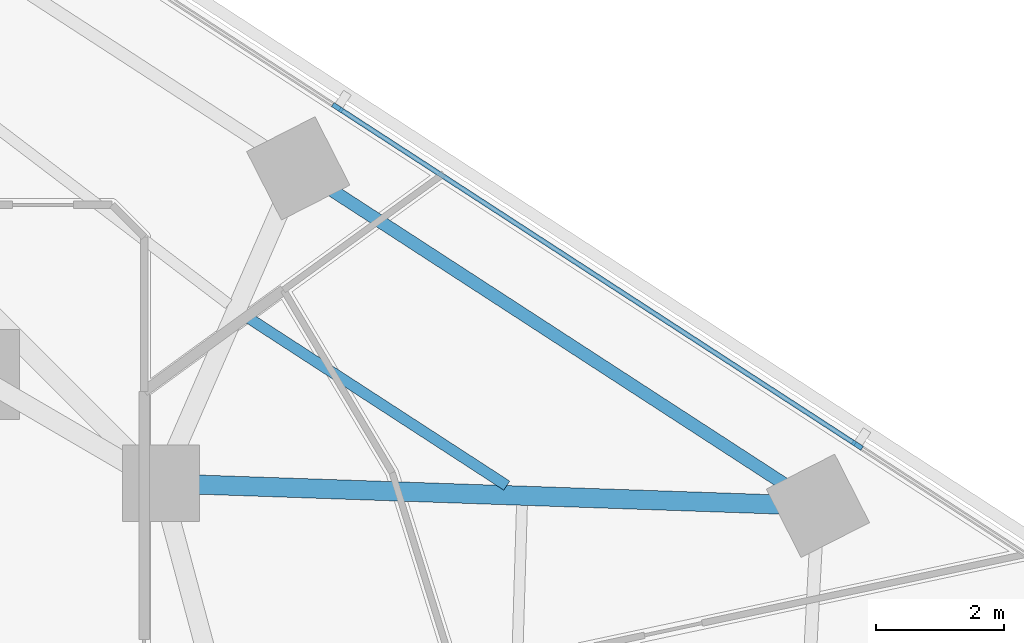
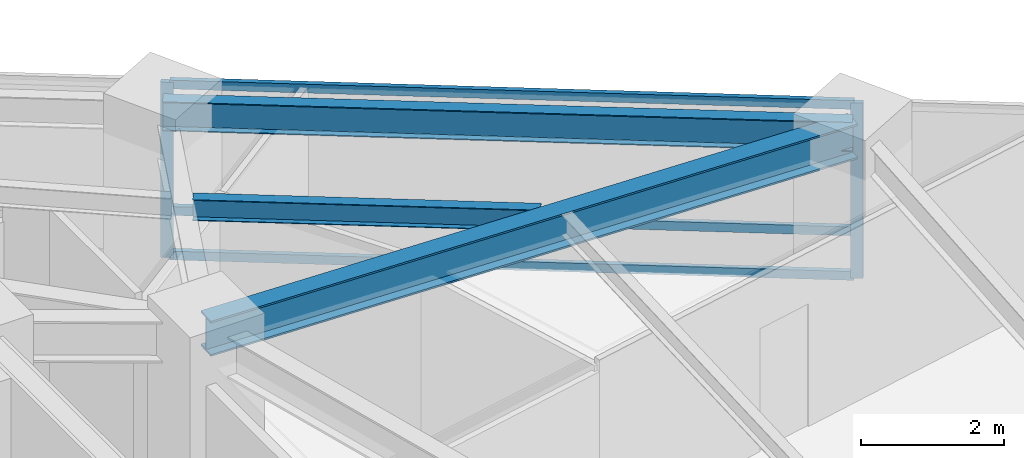
# One storey, part 6 of 14: 5 members, 3 beams, 1 element without a shape of its own.
"""IFC4 building model written with IfcOpenShell, lengths in metres."""

from ifc_helpers import new_model, si_unit, direction, frame, origin, origin_2d, place, context, subcontext, project, spatial, rectangle, i_section, extrude, material, layer, layer_set, material_profile, profile_set, type_object, element, aggregate, save


model = new_model("IFC4")

# Units and contexts
model_context = context("Model", 3, precision=1e-05, world=origin(), true_north=direction((0.0, 1.0)))
body_context = subcontext(model_context, "Body", "Model", "MODEL_VIEW")
ifc_project = project(units=[si_unit("LENGTHUNIT", "METRE"), si_unit("AREAUNIT", "SQUARE_METRE"), si_unit("VOLUMEUNIT", "CUBIC_METRE"), si_unit("PLANEANGLEUNIT", "RADIAN"), si_unit("MASSUNIT", "GRAM", prefix="KILO")], contexts=[model_context])

# Site, building, storey
site_placement = place(None, origin())
site = spatial("IfcSite", under=ifc_project, at=site_placement, CompositionType="ELEMENT")
building_placement = place(site_placement, origin())
building = spatial("IfcBuilding", under=site, at=building_placement, Name="Terralouvre Media Tower", CompositionType="ELEMENT")
storey_placement = place(building_placement, frame((0.0, 0.0, 142.10009765625)))
storey = spatial("IfcBuildingStorey", under=building, at=storey_placement, Name="L36", CompositionType="ELEMENT", Elevation=142.10009765625)

# Beam
ifc_material_1 = material(Name="Structural steel S355J2", Category="steel")
ifc_material_profile_1 = material_profile(ifc_material_1, i_section(OverallWidth=0.169921875, OverallDepth=0.360107421875, WebThickness=0.008056640625, FlangeThickness=0.0126953125, at=origin_2d()), Name="IPE 360")
ifc_profile_set_1 = profile_set([ifc_material_profile_1], Name="Structural steel S355J2")
beam_type_1 = type_object("IfcBeamType", Name="Composite Floor Joist J-IPE360 (IPE 360)", PredefinedType="JOIST", material=ifc_profile_set_1)
beam_1_placement = place(storey_placement, frame((16.31494140625, 6.263916015625, 3.31982421875), z_axis=(-0.838663920822, 0.544649270551, 0.0), x_axis=(-0.544649270551, -0.838663920822, 0.0)))
element("IfcBeam", 1, at=beam_1_placement, inside=storey, type_object=beam_type_1, Name="L36 Framing Beam JT-L36-07", PredefinedType="JOIST", context=body_context, shape_type="SweptSolid", body=[
    extrude(i_section(OverallWidth=0.169921875, OverallDepth=0.360107421875, WebThickness=0.008056640625, FlangeThickness=0.0126953125, at=origin_2d()), origin(), (0.0, 0.0, 1.0), 4.885009765625),
])

# Curtain wall, members
ifc_material_2 = material(Name="Low-iron laminated double glazing with solar-control coating", Category="glass")
ifc_layer = layer(ifc_material_2, 0.1650390625, Name="Production Studio Tower Curtain Wall CW-03")
ifc_layer_set = layer_set([ifc_layer], Name="Low-iron laminated double glazing with solar-control coating")
curtain_wall_type = type_object("IfcCurtainWallType", Name="Production Studio Tower Curtain Wall CW-03", PredefinedType="NOTDEFINED", material=ifc_layer_set)
curtain_wall_placement = place(storey_placement, origin())
curtain_wall = element("IfcCurtainWall", 2, at=curtain_wall_placement, inside=storey, type_object=curtain_wall_type, Name="L36 Facade Curtain Wall F1", PredefinedType="NOTDEFINED")
ifc_material_3 = material(Name="Anodised extruded aluminium 6063-T6", Category="aluminium")
ifc_material_profile_2 = material_profile(ifc_material_3, rectangle(XDim=0.074951171875, YDim=0.14990234375, at=origin_2d()), Name="ALU 75x150")
ifc_profile_set_2 = profile_set([ifc_material_profile_2], Name="Anodised extruded aluminium 6063-T6")
member_type_1 = type_object("IfcMemberType", Name="Curtain-Wall Horizontal Transom TR-150", PredefinedType="USERDEFINED", material=ifc_profile_set_2)
member_1_placement = place(storey_placement, frame((21.760009765625, 6.916259765625, 0.037353515625), z_axis=(-0.838661320759, 0.544653274169, 0.0), x_axis=(-0.544653274169, -0.838661320759, 0.0)))
member_1 = element("IfcMember", 3, at=member_1_placement, type_object=member_type_1, Name="CW-03 transom 2.1", ObjectType="TRANSOM", PredefinedType="USERDEFINED", context=body_context, shape_type="SweptSolid", body=[
    extrude(rectangle(XDim=0.074951171875, YDim=0.14990234375, at=origin_2d()), origin(), (0.0, 0.0, 1.0), 9.60498046875),
])
member_2_placement = place(storey_placement, frame((21.760009765625, 6.916259765625, 0.7998046875), z_axis=(-0.838661320759, 0.544653274169, 0.0), x_axis=(-0.544653274169, -0.838661320759, 0.0)))
member_2 = element("IfcMember", 4, at=member_2_placement, type_object=member_type_1, Name="CW-03 transom 2.2", ObjectType="TRANSOM", PredefinedType="USERDEFINED", context=body_context, shape_type="SweptSolid", body=[
    extrude(rectangle(XDim=0.074951171875, YDim=0.14990234375, at=origin_2d()), origin(), (0.0, 0.0, 1.0), 9.60498046875),
])
member_3_placement = place(storey_placement, frame((21.760009765625, 6.916259765625, 2.96240234375), z_axis=(-0.838661320759, 0.544653274169, 0.0), x_axis=(-0.544653274169, -0.838661320759, 0.0)))
member_3 = element("IfcMember", 5, at=member_3_placement, type_object=member_type_1, Name="CW-03 transom 2.3", ObjectType="TRANSOM", PredefinedType="USERDEFINED", context=body_context, shape_type="SweptSolid", body=[
    extrude(rectangle(XDim=0.074951171875, YDim=0.14990234375, at=origin_2d()), origin(), (0.0, 0.0, 1.0), 9.60498046875),
])
ifc_material_4 = material(Name="Anodised extruded aluminium 6063-T6", Category="aluminium")
ifc_material_profile_3 = material_profile(ifc_material_4, rectangle(XDim=0.074951171875, YDim=0.179931640625, at=origin_2d()), Name="ALU 75x180")
ifc_profile_set_3 = profile_set([ifc_material_profile_3], Name="Anodised extruded aluminium 6063-T6")
member_type_2 = type_object("IfcMemberType", Name="Curtain-Wall Vertical Mullion ML-180", PredefinedType="MULLION", material=ifc_profile_set_3)
member_4_placement = place(storey_placement, frame((21.79150390625, 6.89599609375, 0.0), z_axis=(0.0, 0.0, 1.0), x_axis=(-0.544639002681, -0.838670588944, 0.0)))
member_4 = element("IfcMember", 6, at=member_4_placement, type_object=member_type_2, Name="CW-03 mullion 2", PredefinedType="MULLION", context=body_context, shape_type="SweptSolid", body=[
    extrude(rectangle(XDim=0.074951171875, YDim=0.179931640625, at=origin_2d()), origin(), (0.0, 0.0, 1.0), 3.0),
])
member_5_placement = place(storey_placement, frame((13.673095703125, 12.16796875, 0.0), z_axis=(0.0, 0.0, 1.0), x_axis=(-0.544639002681, -0.838670588944, 0.0)))
member_5 = element("IfcMember", 7, at=member_5_placement, type_object=member_type_2, Name="CW-03 mullion 3", PredefinedType="MULLION", context=body_context, shape_type="SweptSolid", body=[
    extrude(rectangle(XDim=0.074951171875, YDim=0.179931640625, at=origin_2d()), origin(), (0.0, 0.0, 1.0), 3.0),
])
aggregate(curtain_wall, [member_4, member_5, member_1, member_2, member_3])

# Beams
ifc_material_5 = material(Name="Structural steel S355J2", Category="steel")
ifc_material_profile_4 = material_profile(ifc_material_5, i_section(OverallWidth=0.199951171875, OverallDepth=0.5, WebThickness=0.01025390625, FlangeThickness=0.01611328125, at=origin_2d()), Name="IPE 500")
ifc_profile_set_4 = profile_set([ifc_material_profile_4], Name="Structural steel S355J2")
beam_type_2 = type_object("IfcBeamType", Name="Perimeter Spandrel Beam SPB-500 (IPE 500)", PredefinedType="SPANDREL", material=ifc_profile_set_4)
beam_2_placement = place(storey_placement, frame((21.176025390625, 5.9482421875, 3.25), z_axis=(-0.838667695914, 0.54464345753, 0.0), x_axis=(-0.54464345753, -0.838667695914, 0.0)))
element("IfcBeam", 8, at=beam_2_placement, inside=storey, type_object=beam_type_2, Name="L36 Framing Beam BM-L36-PR07", PredefinedType="SPANDREL", context=body_context, shape_type="SweptSolid", body=[
    extrude(i_section(OverallWidth=0.199951171875, OverallDepth=0.5, WebThickness=0.01025390625, FlangeThickness=0.01611328125, at=origin_2d()), origin(), (0.0, 0.0, 1.0), 9.68017578125),
])
ifc_material_6 = material(Name="Structural steel S460M", Category="steel")
ifc_material_profile_5 = material_profile(ifc_material_6, i_section(OverallWidth=0.300048828125, OverallDepth=0.60009765625, WebThickness=0.015380859375, FlangeThickness=0.030029296875, at=origin_2d()), Name="HEB 600")
ifc_profile_set_5 = profile_set([ifc_material_profile_5], Name="Structural steel S460M")
beam_type_3 = type_object("IfcBeamType", Name="Primary Floor Girder B-HEB600 (HEB 600)", PredefinedType="BEAM", material=ifc_profile_set_5)
beam_3_placement = place(storey_placement, frame((10.911865234375, 6.300048828125, 3.199951171875), z_axis=(0.999413120714, -0.034255133128, 0.0), x_axis=(0.034255133128, 0.999413120714, 0.0)))
element("IfcBeam", 9, at=beam_3_placement, inside=storey, type_object=beam_type_3, Name="L36 Framing Beam BM-L36-RD07", PredefinedType="BEAM", context=body_context, shape_type="SweptSolid", body=[
    extrude(i_section(OverallWidth=0.300048828125, OverallDepth=0.60009765625, WebThickness=0.015380859375, FlangeThickness=0.030029296875, at=origin_2d()), origin(), (0.0, 0.0, 1.0), 10.270263671875),
])

save(model, "model.ifc")
